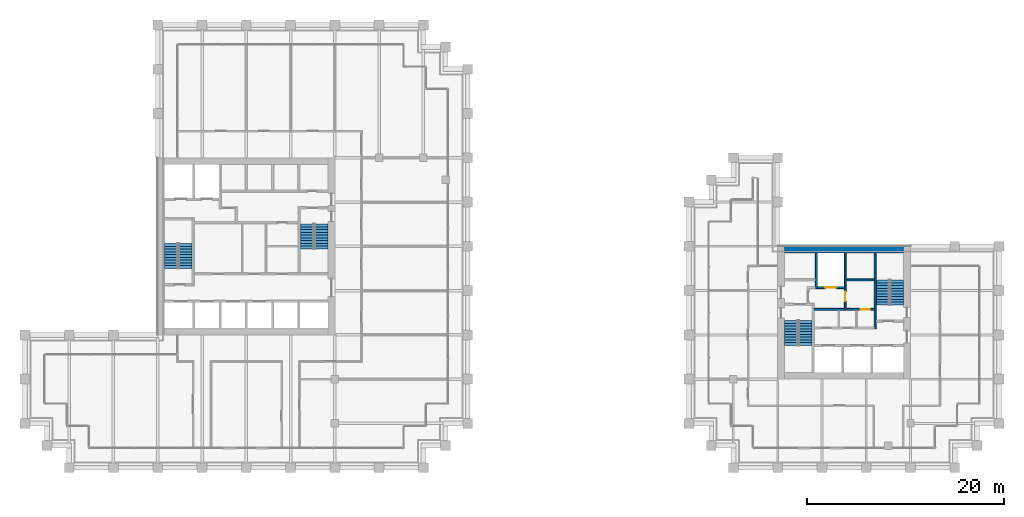
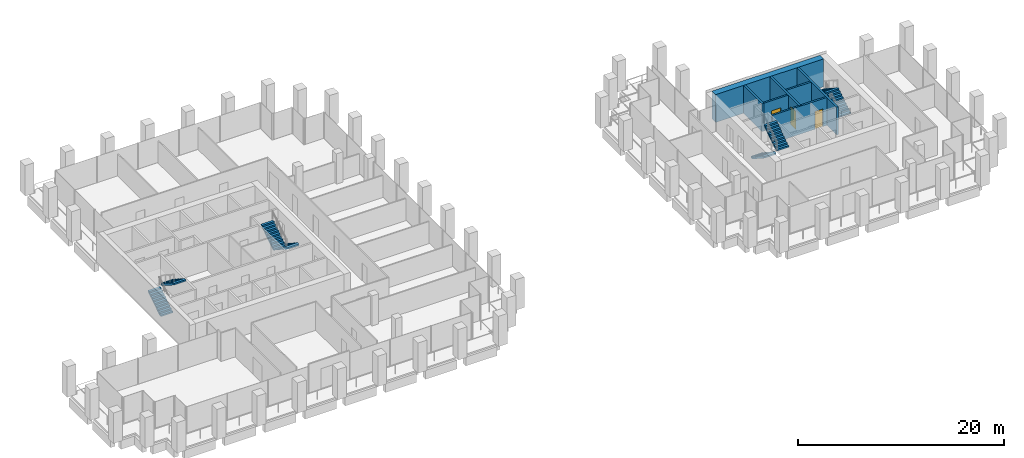
# One storey, part 44 of 46: 8 stair flights, 7 walls, 3 doors, 3 openings, 4 elements without a shape of their own.
"""IFC4 building model written with IfcOpenShell, lengths in metres."""

from ifc_helpers import new_model, si_unit, direction, frame, frame_2d, origin, place, context, subcontext, project, spatial, polyline, rectangle, outline, extrude, material, layer, layer_set, type_object, element, fill, aggregate, save


model = new_model("IFC4")

# Units and contexts
model_context = context("Model", 3, precision=1e-05, world=origin(), true_north=direction((0.0, 1.0)))
body_context = subcontext(model_context, "Body", "Model", "MODEL_VIEW")
ifc_project = project(units=[si_unit("LENGTHUNIT", "METRE"), si_unit("AREAUNIT", "SQUARE_METRE"), si_unit("VOLUMEUNIT", "CUBIC_METRE"), si_unit("PLANEANGLEUNIT", "RADIAN"), si_unit("MASSUNIT", "GRAM", prefix="KILO")], contexts=[model_context])

# Site, building, storey
site_placement = place(None, origin())
site = spatial("IfcSite", under=ifc_project, at=site_placement, CompositionType="ELEMENT")
building_placement = place(site_placement, origin())
building = spatial("IfcBuilding", under=site, at=building_placement, Name="Altepetl Exchange Towers", CompositionType="ELEMENT")
storey_placement = place(building_placement, frame((0.0, 0.0, 135.199951171875)))
storey = spatial("IfcBuildingStorey", under=building, at=storey_placement, Name="L33", CompositionType="ELEMENT", Elevation=135.199951171875)

# Wall
ifc_material_1 = material(Name="Concrete C70/85", Category="concrete")
ifc_layer_1 = layer(ifc_material_1, 0.699951171875)
ifc_layer_set_1 = layer_set([ifc_layer_1], Name="Concrete C70/85")
wall_type_1 = type_object("IfcWallType", Name="Core wall 700 reinforced concrete external", PredefinedType="SHEAR", material=ifc_layer_set_1)
wall_1_placement = place(storey_placement, frame((104.199951171875, 49.14990234375, 0.0)))
element("IfcWall", 1, at=wall_1_placement, inside=storey, type_object=wall_type_1, Name="wall:B:L33:K-coreN", PredefinedType="SHEAR", context=body_context, shape_type="SweptSolid", body=[
    extrude(rectangle(XDim=12.10009765625, YDim=0.699951171875, at=frame_2d((6.050048828125, 0.0))), origin(), (0.0, 0.0, 1.0), 3.300048828125),
])

# Wall, opening, door
ifc_material_2 = material(Name="Concrete blockwork", Category="masonry")
ifc_layer_2 = layer(ifc_material_2, 0.199951171875)
ifc_layer_set_2 = layer_set([ifc_layer_2], Name="Concrete blockwork")
wall_type_2 = type_object("IfcWallType", Name="Lobby wall 200 blockwork", PredefinedType="PARTITIONING", material=ifc_layer_set_2)
wall_2_placement = place(storey_placement, frame((107.199951171875, 43.10009765625, 0.0)))
wall_2 = element("IfcWall", 2, at=wall_2_placement, inside=storey, type_object=wall_type_2, Name="wall:B:L33:K-zoneN", PredefinedType="PARTITIONING", context=body_context, shape_type="SweptSolid", body=[
    extrude(rectangle(XDim=6.10009765625, YDim=0.199951171875, at=frame_2d((3.050048828125, 0.0))), origin(), (0.0, 0.0, 1.0), 3.300048828125),
])
opening_1_placement = place(wall_2_placement, frame((4.75, 0.0, 0.0)))
opening_1 = element("IfcOpeningElement", 3, at=opening_1_placement, cuts=wall_2, Name="Opening L33.B70", PredefinedType="OPENING", context=body_context, shape_type="SweptSolid", body=[
    extrude(rectangle(XDim=0.89990234375, YDim=2.10009765625, at=frame_2d((0.449951171875, 1.050048828125))), frame((0.0, 0.10986328125, 0.0), z_axis=(0.0, -1.0, 0.0), x_axis=(1.0, 0.0, 0.0)), (0.0, 0.0, 1.0), 0.219970703125),
])
ifc_material_3 = material(Name="Steel and timber fire door", Category="steel")
door_type_1 = type_object("IfcDoorType", Name="Fire door 900 x 2100 service room", OperationType="SINGLE_SWING_LEFT", PredefinedType="DOOR", material=ifc_material_3)
door_1_placement = place(opening_1_placement, frame((0.89990234375, 0.0, 0.0), x_axis=(-1.0, 0.0, 0.0)))
door_1 = element("IfcDoor", 4, at=door_1_placement, inside=storey, type_object=door_type_1, Name="door:B:L33:K-dz3", OperationType="SINGLE_SWING_RIGHT", OverallHeight=2.10009765625, OverallWidth=0.89990234375, PredefinedType="DOOR", context=body_context, shape_type="SweptSolid", body=[
    extrude(rectangle(XDim=0.89990234375, YDim=2.10009765625, at=frame_2d((0.449951171875, 1.050048828125))), frame((0.0, 0.02490234375, 0.0), z_axis=(0.0, -1.0, 0.0), x_axis=(1.0, 0.0, 0.0)), (0.0, 0.0, 1.0), 0.050048828125),
])
fill(opening_1, door_1)

# Wall
ifc_material_4 = material(Name="Concrete C40/50", Category="concrete")
ifc_layer_3 = layer(ifc_material_4, 0.199951171875)
ifc_layer_set_3 = layer_set([ifc_layer_3], Name="Concrete C40/50")
wall_type_3 = type_object("IfcWallType", Name="Shaft wall 200 reinforced concrete", PredefinedType="SHEAR", material=ifc_layer_set_3)
wall_3_placement = place(storey_placement, frame((107.433349609375, 48.800048828125, 0.0), z_axis=(0.0, 0.0, 1.0), x_axis=(0.0, -1.0, 0.0)))
element("IfcWall", 5, at=wall_3_placement, inside=storey, type_object=wall_type_3, Name="wall:B:L33:K-divN1", PredefinedType="SHEAR", context=body_context, shape_type="SweptSolid", body=[
    extrude(rectangle(XDim=3.60009765625, YDim=0.199951171875, at=frame_2d((1.800048828125, 0.0))), origin(), (0.0, 0.0, 1.0), 3.300048828125),
])

# Wall, opening, door
wall_4_placement = place(storey_placement, frame((110.36669921875, 48.800048828125, 0.0), z_axis=(0.0, 0.0, 1.0), x_axis=(0.0, -1.0, 0.0)))
wall_4 = element("IfcWall", 6, at=wall_4_placement, inside=storey, type_object=wall_type_3, Name="wall:B:L33:K-divN2", PredefinedType="SHEAR", context=body_context, shape_type="SweptSolid", body=[
    extrude(rectangle(XDim=5.699951171875, YDim=0.199951171875, at=frame_2d((2.85009765625, 0.0))), origin(), (0.0, 0.0, 1.0), 3.300048828125),
])
opening_2_placement = place(wall_4_placement, frame((3.89990234375, 0.0, 0.0)))
opening_2 = element("IfcOpeningElement", 7, at=opening_2_placement, cuts=wall_4, Name="Opening L33.B66", PredefinedType="OPENING", context=body_context, shape_type="SweptSolid", body=[
    extrude(rectangle(XDim=1.0, YDim=2.10009765625, at=frame_2d((0.5, 1.050048828125))), frame((0.0, 0.10986328125, 0.0), z_axis=(0.0, -1.0, 0.0), x_axis=(1.0, 0.0, 0.0)), (0.0, 0.0, 1.0), 0.219970703125),
])
door_type_2 = type_object("IfcDoorType", Name="Fire door 1000 x 2100 stair and lobby", OperationType="SINGLE_SWING_LEFT", PredefinedType="DOOR", material=ifc_material_3)
door_2_placement = place(opening_2_placement, frame((1.0, 0.0, 0.0), x_axis=(-1.0, 0.0, 0.0)))
door_2 = element("IfcDoor", 8, at=door_2_placement, inside=storey, type_object=door_type_2, Name="door:B:L33:K-dffE", OperationType="SINGLE_SWING_RIGHT", OverallHeight=2.10009765625, OverallWidth=1.0, PredefinedType="DOOR", context=body_context, shape_type="SweptSolid", body=[
    extrude(rectangle(XDim=1.0, YDim=2.10009765625, at=frame_2d((0.5, 1.050048828125))), frame((0.0, 0.02490234375, 0.0), z_axis=(0.0, -1.0, 0.0), x_axis=(1.0, 0.0, 0.0)), (0.0, 0.0, 1.0), 0.050048828125),
])
fill(opening_2, door_2)

# Wall
wall_5_placement = place(storey_placement, frame((110.466796875, 46.10009765625, 0.0)))
element("IfcWall", 9, at=wall_5_placement, inside=storey, type_object=wall_type_3, Name="wall:B:L33:K-frontNb", PredefinedType="SHEAR", context=body_context, shape_type="SweptSolid", body=[
    extrude(rectangle(XDim=2.833251953125, YDim=0.199951171875, at=frame_2d((1.41650390625, 0.0))), origin(), (0.0, 0.0, 1.0), 3.300048828125),
])

# Wall, opening, door
wall_6_placement = place(storey_placement, frame((107.533203125, 45.300048828125, 0.0)))
wall_6 = element("IfcWall", 10, at=wall_6_placement, inside=storey, type_object=wall_type_3, Name="wall:B:L33:K-frontNd", PredefinedType="SHEAR", context=body_context, shape_type="SweptSolid", body=[
    extrude(rectangle(XDim=2.7333984375, YDim=0.199951171875, at=frame_2d((1.36669921875, 0.0))), origin(), (0.0, 0.0, 1.0), 3.300048828125),
])
opening_3_placement = place(wall_6_placement, frame((0.816650390625, 0.0, 0.0)))
opening_3 = element("IfcOpeningElement", 11, at=opening_3_placement, cuts=wall_6, Name="Opening L33.B71", PredefinedType="OPENING", context=body_context, shape_type="SweptSolid", body=[
    extrude(rectangle(XDim=1.10009765625, YDim=2.10009765625, at=frame_2d((0.550048828125, 1.050048828125))), frame((0.0, 0.10986328125, 0.0), z_axis=(0.0, -1.0, 0.0), x_axis=(1.0, 0.0, 0.0)), (0.0, 0.0, 1.0), 0.219970703125),
])
ifc_material_5 = material(Name="Stainless steel", Category="steel")
door_type_3 = type_object("IfcDoorType", Name="Lift landing door 1100 x 2100", OperationType="SLIDING_TO_LEFT", PredefinedType="DOOR", material=ifc_material_5)
door_3_placement = place(opening_3_placement, origin())
door_3 = element("IfcDoor", 12, at=door_3_placement, inside=storey, type_object=door_type_3, Name="Landing door FFL1", OperationType="SLIDING_TO_LEFT", OverallHeight=2.10009765625, OverallWidth=1.10009765625, PredefinedType="DOOR", context=body_context, shape_type="SweptSolid", body=[
    extrude(rectangle(XDim=1.10009765625, YDim=2.10009765625, at=frame_2d((0.550048828125, 1.050048828125))), frame((0.0, 0.02490234375, 0.0), z_axis=(0.0, -1.0, 0.0), x_axis=(1.0, 0.0, 0.0)), (0.0, 0.0, 1.0), 0.050048828125),
])
fill(opening_3, door_3)

# Wall
ifc_layer_4 = layer(ifc_material_4, 0.199951171875)
ifc_layer_set_4 = layer_set([ifc_layer_4], Name="Concrete C40/50")
wall_type_4 = type_object("IfcWallType", Name="Stair wall 200 reinforced concrete", PredefinedType="SHEAR", material=ifc_layer_set_4)
wall_7_placement = place(storey_placement, frame((113.39990234375, 41.10009765625, 0.0), z_axis=(0.0, 0.0, 1.0), x_axis=(0.0, 1.0, 0.0)))
element("IfcWall", 13, at=wall_7_placement, inside=storey, type_object=wall_type_4, Name="wall:B:L33:K-stS2W", PredefinedType="SHEAR", context=body_context, shape_type="SweptSolid", body=[
    extrude(rectangle(XDim=7.699951171875, YDim=0.199951171875, at=frame_2d((3.85009765625, 0.0))), origin(), (0.0, 0.0, 1.0), 3.300048828125),
])

# Stair, stair flights
stair_type = type_object("IfcStairType", Name="Exit stair 1350 flights dogleg", PredefinedType="HALF_TURN_STAIR", material=ifc_material_4)
stair_1_placement = place(storey_placement, origin())
stair_1 = element("IfcStair", 14, at=stair_1_placement, inside=storey, type_object=stair_type, Name="Exit stair 1", PredefinedType="HALF_TURN_STAIR")
stair_flight_type = type_object("IfcStairFlightType", Name="Stair flight 1350 wide", PredefinedType="STRAIGHT", material=ifc_material_4)
stair_flight_1_placement = place(storey_placement, frame((41.875, 47.25, 0.0), z_axis=(0.0, 0.0, 1.0), x_axis=(0.0, 1.0, 0.0)))
stair_flight_1 = element("IfcStairFlight", 15, at=stair_flight_1_placement, type_object=stair_flight_type, Name="ST-A1d flight 1", NumberOfRisers=10, NumberOfTreads=9, PredefinedType="STRAIGHT", RiserHeight=0.18, TreadLength=0.28, context=body_context, shape_type="SweptSolid", body=[
    extrude(outline(polyline([(0.0, 0.0), (0.0, 0.179931640625), (0.280029296875, 0.179931640625), (0.280029296875, 0.360107421875), (0.56005859375, 0.360107421875), (0.56005859375, 0.5400390625), (0.840087890625, 0.5400390625), (0.840087890625, 0.719970703125), (1.1201171875, 0.719970703125), (1.1201171875, 0.89990234375), (1.39990234375, 0.89990234375), (1.39990234375, 1.080078125), (1.679931640625, 1.080078125), (1.679931640625, 1.260009765625), (1.9599609375, 1.260009765625), (1.9599609375, 1.43994140625), (2.239990234375, 1.43994140625), (2.239990234375, 1.6201171875), (2.52001953125, 1.6201171875), (2.52001953125, 1.800048828125), (2.52001953125, 1.44189453125), (0.277099609375, 0.0), (0.0, 0.0)])), frame((0.0, 0.675048828125, 0.0), z_axis=(0.0, -1.0, 0.0), x_axis=(1.0, 0.0, 0.0)), (0.0, 0.0, 1.0), 1.35009765625),
])
stair_flight_2_placement = place(storey_placement, frame((43.324951171875, 49.77001953125, 1.800048828125), z_axis=(0.0, 0.0, 1.0), x_axis=(0.0, -1.0, 0.0)))
stair_flight_2 = element("IfcStairFlight", 16, at=stair_flight_2_placement, type_object=stair_flight_type, Name="ST-A1d flight 2", NumberOfRisers=10, NumberOfTreads=9, PredefinedType="STRAIGHT", RiserHeight=0.18, TreadLength=0.28, context=body_context, shape_type="SweptSolid", body=[
    extrude(outline(polyline([(0.0, 0.0), (0.0, 0.179931640625), (0.280029296875, 0.179931640625), (0.280029296875, 0.360107421875), (0.56005859375, 0.360107421875), (0.56005859375, 0.5400390625), (0.840087890625, 0.5400390625), (0.840087890625, 0.719970703125), (1.1201171875, 0.719970703125), (1.1201171875, 0.89990234375), (1.39990234375, 0.89990234375), (1.39990234375, 1.080078125), (1.679931640625, 1.080078125), (1.679931640625, 1.260009765625), (1.9599609375, 1.260009765625), (1.9599609375, 1.43994140625), (2.239990234375, 1.43994140625), (2.239990234375, 1.6201171875), (2.52001953125, 1.6201171875), (2.52001953125, 1.800048828125), (2.52001953125, 1.44189453125), (0.277099609375, 0.0), (0.0, 0.0)])), frame((0.0, 0.675048828125, 0.0), z_axis=(0.0, -1.0, 0.0), x_axis=(1.0, 0.0, 0.0)), (0.0, 0.0, 1.0), 1.35009765625),
])
aggregate(stair_1, [stair_flight_1, stair_flight_2])

stair_2_placement = place(storey_placement, origin())
stair_2 = element("IfcStair", 17, at=stair_2_placement, inside=storey, type_object=stair_type, Name="Exit stair 2", PredefinedType="HALF_TURN_STAIR")
stair_flight_3_placement = place(storey_placement, frame((57.125, 51.75, 0.0), z_axis=(0.0, 0.0, 1.0), x_axis=(0.0, -1.0, 0.0)))
stair_flight_3 = element("IfcStairFlight", 18, at=stair_flight_3_placement, type_object=stair_flight_type, Name="ST-A2d flight 1", NumberOfRisers=10, NumberOfTreads=9, PredefinedType="STRAIGHT", RiserHeight=0.18, TreadLength=0.28, context=body_context, shape_type="SweptSolid", body=[
    extrude(outline(polyline([(0.0, 0.0), (0.0, 0.179931640625), (0.280029296875, 0.179931640625), (0.280029296875, 0.360107421875), (0.56005859375, 0.360107421875), (0.56005859375, 0.5400390625), (0.840087890625, 0.5400390625), (0.840087890625, 0.719970703125), (1.1201171875, 0.719970703125), (1.1201171875, 0.89990234375), (1.39990234375, 0.89990234375), (1.39990234375, 1.080078125), (1.679931640625, 1.080078125), (1.679931640625, 1.260009765625), (1.9599609375, 1.260009765625), (1.9599609375, 1.43994140625), (2.239990234375, 1.43994140625), (2.239990234375, 1.6201171875), (2.52001953125, 1.6201171875), (2.52001953125, 1.800048828125), (2.52001953125, 1.44189453125), (0.277099609375, 0.0), (0.0, 0.0)])), frame((0.0, 0.675048828125, 0.0), z_axis=(0.0, -1.0, 0.0), x_axis=(1.0, 0.0, 0.0)), (0.0, 0.0, 1.0), 1.35009765625),
])
stair_flight_4_placement = place(storey_placement, frame((55.675048828125, 49.22998046875, 1.800048828125), z_axis=(0.0, 0.0, 1.0), x_axis=(0.0, 1.0, 0.0)))
stair_flight_4 = element("IfcStairFlight", 19, at=stair_flight_4_placement, type_object=stair_flight_type, Name="ST-A2d flight 2", NumberOfRisers=10, NumberOfTreads=9, PredefinedType="STRAIGHT", RiserHeight=0.18, TreadLength=0.28, context=body_context, shape_type="SweptSolid", body=[
    extrude(outline(polyline([(0.0, 0.0), (0.0, 0.179931640625), (0.280029296875, 0.179931640625), (0.280029296875, 0.360107421875), (0.56005859375, 0.360107421875), (0.56005859375, 0.5400390625), (0.840087890625, 0.5400390625), (0.840087890625, 0.719970703125), (1.1201171875, 0.719970703125), (1.1201171875, 0.89990234375), (1.39990234375, 0.89990234375), (1.39990234375, 1.080078125), (1.679931640625, 1.080078125), (1.679931640625, 1.260009765625), (1.9599609375, 1.260009765625), (1.9599609375, 1.43994140625), (2.239990234375, 1.43994140625), (2.239990234375, 1.6201171875), (2.52001953125, 1.6201171875), (2.52001953125, 1.800048828125), (2.52001953125, 1.44189453125), (0.277099609375, 0.0), (0.0, 0.0)])), frame((0.0, 0.675048828125, 0.0), z_axis=(0.0, -1.0, 0.0), x_axis=(1.0, 0.0, 0.0)), (0.0, 0.0, 1.0), 1.35009765625),
])
aggregate(stair_2, [stair_flight_3, stair_flight_4])

stair_3_placement = place(storey_placement, origin())
stair_3 = element("IfcStair", 20, at=stair_3_placement, inside=storey, type_object=stair_type, Name="Exit stair 1", PredefinedType="HALF_TURN_STAIR")
stair_flight_5_placement = place(storey_placement, frame((104.875, 41.949951171875, 0.0), z_axis=(0.0, 0.0, 1.0), x_axis=(0.0, -1.0, 0.0)))
stair_flight_5 = element("IfcStairFlight", 21, at=stair_flight_5_placement, type_object=stair_flight_type, Name="ST-B1d flight 1", NumberOfRisers=10, NumberOfTreads=9, PredefinedType="STRAIGHT", RiserHeight=0.18, TreadLength=0.28, context=body_context, shape_type="SweptSolid", body=[
    extrude(outline(polyline([(0.0, 0.0), (0.0, 0.179931640625), (0.280029296875, 0.179931640625), (0.280029296875, 0.360107421875), (0.56005859375, 0.360107421875), (0.56005859375, 0.5400390625), (0.840087890625, 0.5400390625), (0.840087890625, 0.719970703125), (1.1201171875, 0.719970703125), (1.1201171875, 0.89990234375), (1.39990234375, 0.89990234375), (1.39990234375, 1.080078125), (1.679931640625, 1.080078125), (1.679931640625, 1.260009765625), (1.9599609375, 1.260009765625), (1.9599609375, 1.43994140625), (2.239990234375, 1.43994140625), (2.239990234375, 1.6201171875), (2.52001953125, 1.6201171875), (2.52001953125, 1.800048828125), (2.52001953125, 1.44189453125), (0.277099609375, 0.0), (0.0, 0.0)])), frame((0.0, 0.675048828125, 0.0), z_axis=(0.0, -1.0, 0.0), x_axis=(1.0, 0.0, 0.0)), (0.0, 0.0, 1.0), 1.35009765625),
])
stair_flight_6_placement = place(storey_placement, frame((106.324951171875, 39.429931640625, 1.800048828125), z_axis=(0.0, 0.0, 1.0), x_axis=(0.0, 1.0, 0.0)))
stair_flight_6 = element("IfcStairFlight", 22, at=stair_flight_6_placement, type_object=stair_flight_type, Name="ST-B1d flight 2", NumberOfRisers=10, NumberOfTreads=9, PredefinedType="STRAIGHT", RiserHeight=0.18, TreadLength=0.28, context=body_context, shape_type="SweptSolid", body=[
    extrude(outline(polyline([(0.0, 0.0), (0.0, 0.179931640625), (0.280029296875, 0.179931640625), (0.280029296875, 0.360107421875), (0.56005859375, 0.360107421875), (0.56005859375, 0.5400390625), (0.840087890625, 0.5400390625), (0.840087890625, 0.719970703125), (1.1201171875, 0.719970703125), (1.1201171875, 0.89990234375), (1.39990234375, 0.89990234375), (1.39990234375, 1.080078125), (1.679931640625, 1.080078125), (1.679931640625, 1.260009765625), (1.9599609375, 1.260009765625), (1.9599609375, 1.43994140625), (2.239990234375, 1.43994140625), (2.239990234375, 1.6201171875), (2.52001953125, 1.6201171875), (2.52001953125, 1.800048828125), (2.52001953125, 1.44189453125), (0.277099609375, 0.0), (0.0, 0.0)])), frame((0.0, 0.675048828125, 0.0), z_axis=(0.0, -1.0, 0.0), x_axis=(1.0, 0.0, 0.0)), (0.0, 0.0, 1.0), 1.35009765625),
])
aggregate(stair_3, [stair_flight_5, stair_flight_6])

stair_4_placement = place(storey_placement, origin())
stair_4 = element("IfcStair", 23, at=stair_4_placement, inside=storey, type_object=stair_type, Name="Exit stair 2", PredefinedType="HALF_TURN_STAIR")
stair_flight_7_placement = place(storey_placement, frame((115.625, 43.550048828125, 0.0), z_axis=(0.0, 0.0, 1.0), x_axis=(0.0, 1.0, 0.0)))
stair_flight_7 = element("IfcStairFlight", 24, at=stair_flight_7_placement, type_object=stair_flight_type, Name="ST-B2d flight 1", NumberOfRisers=10, NumberOfTreads=9, PredefinedType="STRAIGHT", RiserHeight=0.18, TreadLength=0.28, context=body_context, shape_type="SweptSolid", body=[
    extrude(outline(polyline([(0.0, 0.0), (0.0, 0.179931640625), (0.280029296875, 0.179931640625), (0.280029296875, 0.360107421875), (0.56005859375, 0.360107421875), (0.56005859375, 0.5400390625), (0.840087890625, 0.5400390625), (0.840087890625, 0.719970703125), (1.1201171875, 0.719970703125), (1.1201171875, 0.89990234375), (1.39990234375, 0.89990234375), (1.39990234375, 1.080078125), (1.679931640625, 1.080078125), (1.679931640625, 1.260009765625), (1.9599609375, 1.260009765625), (1.9599609375, 1.43994140625), (2.239990234375, 1.43994140625), (2.239990234375, 1.6201171875), (2.52001953125, 1.6201171875), (2.52001953125, 1.800048828125), (2.52001953125, 1.44189453125), (0.277099609375, 0.0), (0.0, 0.0)])), frame((0.0, 0.675048828125, 0.0), z_axis=(0.0, -1.0, 0.0), x_axis=(1.0, 0.0, 0.0)), (0.0, 0.0, 1.0), 1.35009765625),
])
stair_flight_8_placement = place(storey_placement, frame((114.175048828125, 46.070068359375, 1.800048828125), z_axis=(0.0, 0.0, 1.0), x_axis=(0.0, -1.0, 0.0)))
stair_flight_8 = element("IfcStairFlight", 25, at=stair_flight_8_placement, type_object=stair_flight_type, Name="ST-B2d flight 2", NumberOfRisers=10, NumberOfTreads=9, PredefinedType="STRAIGHT", RiserHeight=0.18, TreadLength=0.28, context=body_context, shape_type="SweptSolid", body=[
    extrude(outline(polyline([(0.0, 0.0), (0.0, 0.179931640625), (0.280029296875, 0.179931640625), (0.280029296875, 0.360107421875), (0.56005859375, 0.360107421875), (0.56005859375, 0.5400390625), (0.840087890625, 0.5400390625), (0.840087890625, 0.719970703125), (1.1201171875, 0.719970703125), (1.1201171875, 0.89990234375), (1.39990234375, 0.89990234375), (1.39990234375, 1.080078125), (1.679931640625, 1.080078125), (1.679931640625, 1.260009765625), (1.9599609375, 1.260009765625), (1.9599609375, 1.43994140625), (2.239990234375, 1.43994140625), (2.239990234375, 1.6201171875), (2.52001953125, 1.6201171875), (2.52001953125, 1.800048828125), (2.52001953125, 1.44189453125), (0.277099609375, 0.0), (0.0, 0.0)])), frame((0.0, 0.675048828125, 0.0), z_axis=(0.0, -1.0, 0.0), x_axis=(1.0, 0.0, 0.0)), (0.0, 0.0, 1.0), 1.35009765625),
])
aggregate(stair_4, [stair_flight_7, stair_flight_8])

save(model, "model.ifc")
